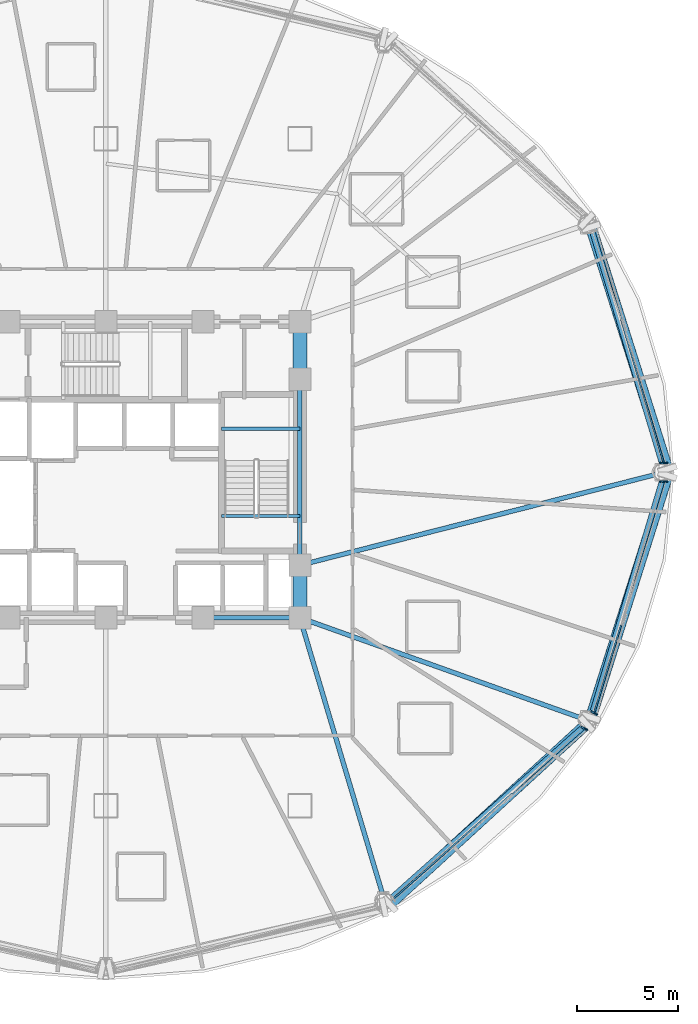
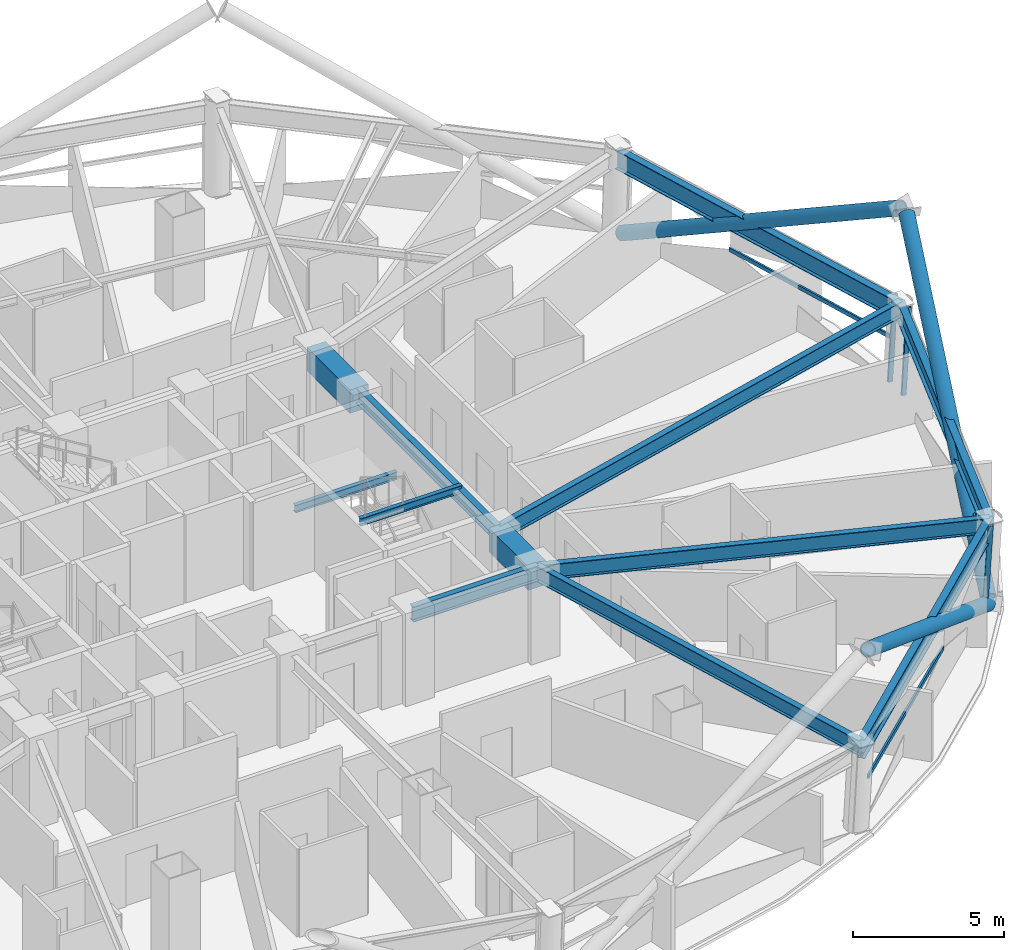
# One storey, part 3 of 16: 12 beams, 10 members, 3 elements without a shape of their own.
"""IFC4 building model written with IfcOpenShell, lengths in metres."""

from ifc_helpers import new_model, si_unit, direction, frame, origin, origin_2d, place, context, subcontext, project, spatial, rectangle, hollow_rectangle, hollow_circle, i_section, extrude, material, layer, layer_set, material_profile, profile_set, type_object, element, aggregate, save


model = new_model("IFC4")

# Units and contexts
model_context = context("Model", 3, precision=1e-05, world=origin(), true_north=direction((0.0, 1.0)))
body_context = subcontext(model_context, "Body", "Model", "MODEL_VIEW")
ifc_project = project(units=[si_unit("LENGTHUNIT", "METRE"), si_unit("AREAUNIT", "SQUARE_METRE"), si_unit("VOLUMEUNIT", "CUBIC_METRE"), si_unit("PLANEANGLEUNIT", "RADIAN"), si_unit("MASSUNIT", "GRAM", prefix="KILO")], contexts=[model_context])

# Site, building, storey
site_placement = place(None, origin())
site = spatial("IfcSite", under=ifc_project, at=site_placement, CompositionType="ELEMENT")
building_placement = place(site_placement, origin())
building = spatial("IfcBuilding", under=site, at=building_placement, Name="Vantalir Tower", CompositionType="ELEMENT")
storey_placement = place(building_placement, frame((0.0, 0.0, 64.5)))
storey = spatial("IfcBuildingStorey", under=building, at=storey_placement, Name="L15", CompositionType="ELEMENT", Elevation=64.5)

# Beams
ifc_material_1 = material(Name="Concrete C60/75", Category="concrete")
ifc_material_profile_1 = material_profile(ifc_material_1, rectangle(XDim=0.699951171875, YDim=0.949951171875, at=origin_2d()), Name="Concrete C60/75")
ifc_profile_set_1 = profile_set([ifc_material_profile_1], Name="Concrete C60/75")
beam_type_1 = type_object("IfcBeamType", Name="BM-CB-700x950", PredefinedType="USERDEFINED", material=ifc_profile_set_1)
beam_1_placement = place(storey_placement, frame((41.10009765625, 17.800048828125, 3.094970703125), z_axis=(0.0, 1.0, 0.0), x_axis=(-1.0, 0.0, 0.0)))
element("IfcBeam", 1, at=beam_1_placement, inside=storey, type_object=beam_type_1, Name="L15 Core Coupling Girder 05", ObjectType="GIRDER", PredefinedType="USERDEFINED", context=body_context, shape_type="SweptSolid", body=[
    extrude(rectangle(XDim=0.699951171875, YDim=0.949951171875, at=origin_2d()), origin(), (0.0, 0.0, 1.0), 2.599853515625),
])
beam_2_placement = place(storey_placement, frame((41.10009765625, 29.60009765625, 3.094970703125), z_axis=(0.0, 1.0, 0.0), x_axis=(-1.0, 0.0, 0.0)))
element("IfcBeam", 2, at=beam_2_placement, inside=storey, type_object=beam_type_1, Name="L15 Core Coupling Girder 07", ObjectType="GIRDER", PredefinedType="USERDEFINED", context=body_context, shape_type="SweptSolid", body=[
    extrude(rectangle(XDim=0.699951171875, YDim=0.949951171875, at=origin_2d()), origin(), (0.0, 0.0, 1.0), 2.849853515625),
])
ifc_material_2 = material(Name="Steel S355", Category="steel")
ifc_material_profile_2 = material_profile(ifc_material_2, i_section(OverallWidth=0.166015625, OverallDepth=0.306884765625, WebThickness=0.006591796875, FlangeThickness=0.01171875, at=origin_2d()), Name="Steel S355")
ifc_profile_set_2 = profile_set([ifc_material_profile_2], Name="Steel S355")
beam_type_2 = type_object("IfcBeamType", Name="BM-JS-305x165", PredefinedType="JOIST", material=ifc_profile_set_2)
for number, where, z_axis, x_axis, name in (
    (3, (37.2099609375, 22.8349609375, 3.595947265625), (1.0, 0.0, 0.0), (0.0, 1.0, 0.0), "L16 Stair ST2 Well Nosing Trimmer Beam"),
    (4, (37.2099609375, 27.14501953125, 1.52197265625), (1.0, 0.0, 0.0), (0.0, 1.0, 0.0), "L15 Stair ST2 Half-Landing Support Beam"),
):
    element("IfcBeam", number, at=place(storey_placement, frame(where, z_axis=z_axis, x_axis=x_axis)), inside=storey, type_object=beam_type_2, Name=name, PredefinedType="JOIST", context=body_context, shape_type="SweptSolid", body=[
        extrude(i_section(OverallWidth=0.166015625, OverallDepth=0.306884765625, WebThickness=0.006591796875, FlangeThickness=0.01171875, at=origin_2d()), origin(), (0.0, 0.0, 1.0), 3.89013671875),
    ])
ifc_material_profile_3 = material_profile(ifc_material_2, i_section(OverallWidth=0.22998046875, OverallDepth=0.616943359375, WebThickness=0.01318359375, FlangeThickness=0.022216796875, at=origin_2d()), Name="Steel S355")
ifc_profile_set_3 = profile_set([ifc_material_profile_3], Name="Steel S355")
beam_type_3 = type_object("IfcBeamType", Name="BM-RB-610x229", PredefinedType="BEAM", material=ifc_profile_set_3)
beam_3_placement = place(storey_placement, frame((36.300048828125, 17.800048828125, 3.261962890625), z_axis=(1.0, 0.0, 0.0), x_axis=(0.0, 1.0, 0.0)))
element("IfcBeam", 5, at=beam_3_placement, inside=storey, type_object=beam_type_3, Name="L15 Core Coupling Girder 04", PredefinedType="BEAM", context=body_context, shape_type="SweptSolid", body=[
    extrude(i_section(OverallWidth=0.22998046875, OverallDepth=0.616943359375, WebThickness=0.01318359375, FlangeThickness=0.022216796875, at=origin_2d()), origin(), (0.0, 0.0, 1.0), 4.800048828125),
])
beam_4_placement = place(storey_placement, frame((41.10009765625, 20.39990234375, 3.261962890625), z_axis=(0.0, 1.0, 0.0), x_axis=(-1.0, 0.0, 0.0)))
element("IfcBeam", 6, at=beam_4_placement, inside=storey, type_object=beam_type_3, Name="L15 Core Coupling Girder 06", PredefinedType="BEAM", context=body_context, shape_type="SweptSolid", body=[
    extrude(i_section(OverallWidth=0.22998046875, OverallDepth=0.616943359375, WebThickness=0.01318359375, FlangeThickness=0.022216796875, at=origin_2d()), origin(), (0.0, 0.0, 1.0), 9.2001953125),
])
beam_5_placement = place(storey_placement, frame((59.14990234375, 25.0, 3.261962890625), z_axis=(-0.969025237662, -0.246961715198, 0.0), x_axis=(0.246961715198, -0.969025237662, 0.0)))
element("IfcBeam", 7, at=beam_5_placement, inside=storey, type_object=beam_type_3, Name="L15 Radial Floor Beam 01", PredefinedType="BEAM", context=body_context, shape_type="SweptSolid", body=[
    extrude(i_section(OverallWidth=0.22998046875, OverallDepth=0.616943359375, WebThickness=0.01318359375, FlangeThickness=0.022216796875, at=origin_2d()), origin(), (0.0, 0.0, 1.0), 18.626708984375),
])
beam_6_placement = place(storey_placement, frame((45.324951171875, 3.6708984375, 3.261962890625), z_axis=(-0.28648356936, 0.958085155133, 0.0), x_axis=(-0.958085155133, -0.28648356936, 0.0)))
element("IfcBeam", 8, at=beam_6_placement, inside=storey, type_object=beam_type_3, Name="L15 Radial Floor Beam 11", PredefinedType="BEAM", context=body_context, shape_type="SweptSolid", body=[
    extrude(i_section(OverallWidth=0.22998046875, OverallDepth=0.616943359375, WebThickness=0.01318359375, FlangeThickness=0.022216796875, at=origin_2d()), origin(), (0.0, 0.0, 1.0), 14.747314453125),
])
beam_7_placement = place(storey_placement, frame((55.446044921875, 12.68505859375, 3.261962890625), z_axis=(-0.941919846836, 0.335837761629, 0.0), x_axis=(-0.335837761629, -0.941919846836, 0.0)))
element("IfcBeam", 9, at=beam_7_placement, inside=storey, type_object=beam_type_3, Name="L15 Radial Floor Beam 12", PredefinedType="BEAM", context=body_context, shape_type="SweptSolid", body=[
    extrude(i_section(OverallWidth=0.22998046875, OverallDepth=0.616943359375, WebThickness=0.01318359375, FlangeThickness=0.022216796875, at=origin_2d()), origin(), (0.0, 0.0, 1.0), 15.23046875),
])
ifc_material_3 = material(Name="Steel S460", Category="steel")
ifc_material_profile_4 = material_profile(ifc_material_3, i_section(OverallWidth=0.26806640625, OverallDepth=0.77001953125, WebThickness=0.015625, FlangeThickness=0.025390625, at=origin_2d()), Name="Steel S460")
ifc_profile_set_4 = profile_set([ifc_material_profile_4], Name="Steel S460")
beam_type_4 = type_object("IfcBeamType", Name="BM-RG-762x267", PredefinedType="USERDEFINED", material=ifc_profile_set_4)
beam_8_placement = place(storey_placement, frame((59.14990234375, 25.0, 3.14501953125), z_axis=(-0.288037579995, 0.957619106175, 0.0), x_axis=(-0.957619106175, -0.288037579995, 0.0)))
element("IfcBeam", 10, at=beam_8_placement, inside=storey, type_object=beam_type_4, Name="L15 Circumferential Ring Girder 01", ObjectType="GIRDER", PredefinedType="USERDEFINED", context=body_context, shape_type="SweptSolid", body=[
    extrude(i_section(OverallWidth=0.26806640625, OverallDepth=0.77001953125, WebThickness=0.015625, FlangeThickness=0.025390625, at=origin_2d()), origin(), (0.0, 0.0, 1.0), 12.85888671875),
])
beam_9_placement = place(storey_placement, frame((45.324951171875, 3.6708984375, 3.18505859375), z_axis=(0.746762968032, 0.66509027175, 0.0), x_axis=(-0.66509027175, 0.746762968032, 0.0)))
element("IfcBeam", 11, at=beam_9_placement, inside=storey, type_object=beam_type_4, Name="L15 Circumferential Ring Girder 11", ObjectType="GIRDER", PredefinedType="USERDEFINED", context=body_context, shape_type="SweptSolid", body=[
    extrude(i_section(OverallWidth=0.26806640625, OverallDepth=0.77001953125, WebThickness=0.015625, FlangeThickness=0.025390625, at=origin_2d()), origin(), (0.0, 0.0, 1.0), 13.55322265625),
])
beam_10_placement = place(storey_placement, frame((55.446044921875, 12.68505859375, 3.18505859375), z_axis=(0.288016633723, 0.957625406252, 0.0), x_axis=(-0.957625406252, 0.288016633723, 0.0)))
element("IfcBeam", 12, at=beam_10_placement, inside=storey, type_object=beam_type_4, Name="L15 Circumferential Ring Girder 12", ObjectType="GIRDER", PredefinedType="USERDEFINED", context=body_context, shape_type="SweptSolid", body=[
    extrude(i_section(OverallWidth=0.26806640625, OverallDepth=0.77001953125, WebThickness=0.015625, FlangeThickness=0.025390625, at=origin_2d()), origin(), (0.0, 0.0, 1.0), 12.85986328125),
])

# Curtain wall, member
ifc_material_4 = material(Name="Champagne-silver PVDF aluminium and double-silver Low-E glass", Category="aluminium")
ifc_layer = layer(ifc_material_4, 0.18994140625)
ifc_layer_set = layer_set([ifc_layer], Name="Champagne-silver PVDF aluminium and double-silver Low-E glass")
curtain_wall_type = type_object("IfcCurtainWallType", Name="CW-DIAMOND-Z1", PredefinedType="USERDEFINED", material=ifc_layer_set)
curtain_wall_1_placement = place(storey_placement, origin())
curtain_wall_1 = element("IfcCurtainWall", 13, at=curtain_wall_1_placement, inside=storey, type_object=curtain_wall_type, Name="L15 Quilted Pyramid-Diamond Curtain Wall S01", ObjectType="UNITISED CURTAIN WALL", PredefinedType="USERDEFINED")
ifc_material_5 = material(Name="Champagne-silver PVDF aluminium 6063-T6", Category="aluminium")
ifc_material_profile_5 = material_profile(ifc_material_5, hollow_rectangle(XDim=0.074951171875, YDim=0.179931640625, WallThickness=0.00390625, at=origin_2d()), Name="Champagne-silver PVDF aluminium 6063-T6")
ifc_profile_set_5 = profile_set([ifc_material_profile_5], Name="Champagne-silver PVDF aluminium 6063-T6")
member_type_1 = type_object("IfcMemberType", Name="CWM-180x75", PredefinedType="MULLION", material=ifc_profile_set_5)
member_1_placement = place(storey_placement, frame((59.006103515625, 25.449951171875, 0.044921875), z_axis=(0.057083699865, 0.0, 0.99836939617), x_axis=(0.0, 1.0, 0.0)))
member_1 = element("IfcMember", 14, at=member_1_placement, type_object=member_type_1, Name="CW-L15-S01 Mullion 1", PredefinedType="MULLION", context=body_context, shape_type="SweptSolid", body=[
    extrude(hollow_rectangle(XDim=0.074951171875, YDim=0.179931640625, WallThickness=0.00390625, at=origin_2d()), origin(), (0.0, 0.0, 1.0), 3.485595703125),
])

curtain_wall_2_placement = place(storey_placement, origin())
curtain_wall_2 = element("IfcCurtainWall", 15, at=curtain_wall_2_placement, inside=storey, type_object=curtain_wall_type, Name="L15 Quilted Pyramid-Diamond Curtain Wall S11", ObjectType="UNITISED CURTAIN WALL", PredefinedType="USERDEFINED")
member_2_placement = place(storey_placement, frame((55.0869140625, 12.365966796875, 0.044921875), z_axis=(0.049383355368, -0.025497221779, 0.998454393497), x_axis=(0.458771333009, 0.888554367503, 0.0)))
member_2 = element("IfcMember", 16, at=member_2_placement, type_object=member_type_1, Name="CW-L15-S11 Mullion 2", PredefinedType="MULLION", context=body_context, shape_type="SweptSolid", body=[
    extrude(hollow_rectangle(XDim=0.074951171875, YDim=0.179931640625, WallThickness=0.00390625, at=origin_2d()), origin(), (0.0, 0.0, 1.0), 3.4853515625),
])

# Curtain wall, members
curtain_wall_3_placement = place(storey_placement, origin())
curtain_wall_3 = element("IfcCurtainWall", 17, at=curtain_wall_3_placement, inside=storey, type_object=curtain_wall_type, Name="L15 Quilted Pyramid-Diamond Curtain Wall S12", ObjectType="UNITISED CURTAIN WALL", PredefinedType="USERDEFINED")
member_3_placement = place(storey_placement, frame((55.572998046875, 13.12890625, 0.044921875), z_axis=(0.049383355368, -0.025497221779, 0.998454393497), x_axis=(0.458771333009, 0.888554367503, 0.0)))
member_3 = element("IfcMember", 18, at=member_3_placement, type_object=member_type_1, Name="CW-L15-S12 Mullion 1", PredefinedType="MULLION", context=body_context, shape_type="SweptSolid", body=[
    extrude(hollow_rectangle(XDim=0.074951171875, YDim=0.179931640625, WallThickness=0.00390625, at=origin_2d()), origin(), (0.0, 0.0, 1.0), 3.4853515625),
])
member_4_placement = place(storey_placement, frame((59.006103515625, 24.550048828125, 0.044921875), z_axis=(0.057083699865, 0.0, 0.99836939617), x_axis=(0.0, 1.0, 0.0)))
member_4 = element("IfcMember", 19, at=member_4_placement, type_object=member_type_1, Name="CW-L15-S12 Mullion 2", PredefinedType="MULLION", context=body_context, shape_type="SweptSolid", body=[
    extrude(hollow_rectangle(XDim=0.074951171875, YDim=0.179931640625, WallThickness=0.00390625, at=origin_2d()), origin(), (0.0, 0.0, 1.0), 3.485595703125),
])

# Member
ifc_material_profile_6 = material_profile(ifc_material_5, hollow_rectangle(XDim=0.074951171875, YDim=0.159912109375, WallThickness=0.00390625, at=origin_2d()), Name="Champagne-silver PVDF aluminium 6063-T6")
ifc_profile_set_6 = profile_set([ifc_material_profile_6], Name="Champagne-silver PVDF aluminium 6063-T6")
member_type_2 = type_object("IfcMemberType", Name="CWT-160x75", PredefinedType="USERDEFINED", material=ifc_profile_set_6)
member_5_placement = place(storey_placement, frame((59.10498046875, 25.449951171875, 1.784912109375), z_axis=(-0.284694170724, 0.958618396003, 0.0), x_axis=(-0.958618396003, -0.284694170724, 0.0)))
member_5 = element("IfcMember", 20, at=member_5_placement, type_object=member_type_2, Name="CW-L15-S01 Pyramid Fold Ridge Transom", ObjectType="TRANSOM", PredefinedType="USERDEFINED", context=body_context, shape_type="SweptSolid", body=[
    extrude(hollow_rectangle(XDim=0.074951171875, YDim=0.159912109375, WallThickness=0.00390625, at=origin_2d()), origin(), (0.0, 0.0, 1.0), 7.422119140625),
])

aggregate(curtain_wall_1, [member_1, member_5])

member_6_placement = place(storey_placement, frame((45.720947265625, 3.89599609375, 1.784912109375), z_axis=(0.748478417108, 0.663159150675, 0.0), x_axis=(-0.663159150675, 0.748478417108, 0.0)))
member_6 = element("IfcMember", 21, at=member_6_placement, type_object=member_type_2, Name="CW-L15-S11 Pyramid Fold Ridge Transom", ObjectType="TRANSOM", PredefinedType="USERDEFINED", context=body_context, shape_type="SweptSolid", body=[
    extrude(hollow_rectangle(XDim=0.074951171875, YDim=0.159912109375, WallThickness=0.00390625, at=origin_2d()), origin(), (0.0, 0.0, 1.0), 7.854736328125),
])

aggregate(curtain_wall_2, [member_2, member_6])

member_7_placement = place(storey_placement, frame((55.658935546875, 13.0849609375, 1.784912109375), z_axis=(0.292984604734, 0.956117158819, 0.0), x_axis=(-0.956117158819, 0.292984604734, 0.0)))
member_7 = element("IfcMember", 22, at=member_7_placement, type_object=member_type_2, Name="CW-L15-S12 Pyramid Fold Ridge Transom", ObjectType="TRANSOM", PredefinedType="USERDEFINED", context=body_context, shape_type="SweptSolid", body=[
    extrude(hollow_rectangle(XDim=0.074951171875, YDim=0.159912109375, WallThickness=0.00390625, at=origin_2d()), origin(), (0.0, 0.0, 1.0), 4.5498046875),
])

aggregate(curtain_wall_3, [member_3, member_4, member_7])

# Members
ifc_material_profile_7 = material_profile(ifc_material_3, hollow_circle(Radius=0.27001953125, WallThickness=0.044921875, at=origin_2d()), Name="Steel S460")
ifc_profile_set_7 = profile_set([ifc_material_profile_7], Name="Steel S460")
member_type_3 = type_object("IfcMemberType", Name="MEM-DB-540x45", PredefinedType="BRACE", material=ifc_profile_set_7)
member_8_placement = place(storey_placement, frame((55.49609375, 37.136962890625, 0.18701171875), z_axis=(0.264111999198, -0.833927633761, 0.484571515392), x_axis=(0.953330737057, 0.301927981119, 0.0)))
element("IfcMember", 23, at=member_8_placement, inside=storey, type_object=member_type_3, Name="L15 Perimeter S460 Diagrid Brace R04R", PredefinedType="BRACE", context=body_context, shape_type="SweptSolid", body=[
    extrude(hollow_circle(Radius=0.27001953125, WallThickness=0.044921875, at=origin_2d()), origin(), (0.0, 0.0, 1.0), 14.33447265625),
])
member_9_placement = place(storey_placement, frame((55.49609375, 12.862060546875, 0.18701171875), z_axis=(0.264096994835, 0.833948381124, 0.48454398659), x_axis=(-0.953337836004, 0.30190556544, 0.0)))
element("IfcMember", 24, at=member_9_placement, inside=storey, type_object=member_type_3, Name="L15 Perimeter S460 Diagrid Brace R34L", PredefinedType="BRACE", context=body_context, shape_type="SweptSolid", body=[
    extrude(hollow_circle(Radius=0.27001953125, WallThickness=0.044921875, at=origin_2d()), origin(), (0.0, 0.0, 1.0), 14.335205078125),
])
member_10_placement = place(storey_placement, frame((55.2939453125, 12.548095703125, 0.18310546875), z_axis=(-0.652391826836, -0.597488374555, 0.466253736231), x_axis=(0.675394422231, -0.73745669325, 0.0)))
element("IfcMember", 25, at=member_10_placement, inside=storey, type_object=member_type_3, Name="L15 Perimeter S460 Diagrid Brace R34R", PredefinedType="BRACE", context=body_context, shape_type="SweptSolid", body=[
    extrude(hollow_circle(Radius=0.27001953125, WallThickness=0.044921875, at=origin_2d()), origin(), (0.0, 0.0, 1.0), 14.914306640625),
])

save(model, "model.ifc")
